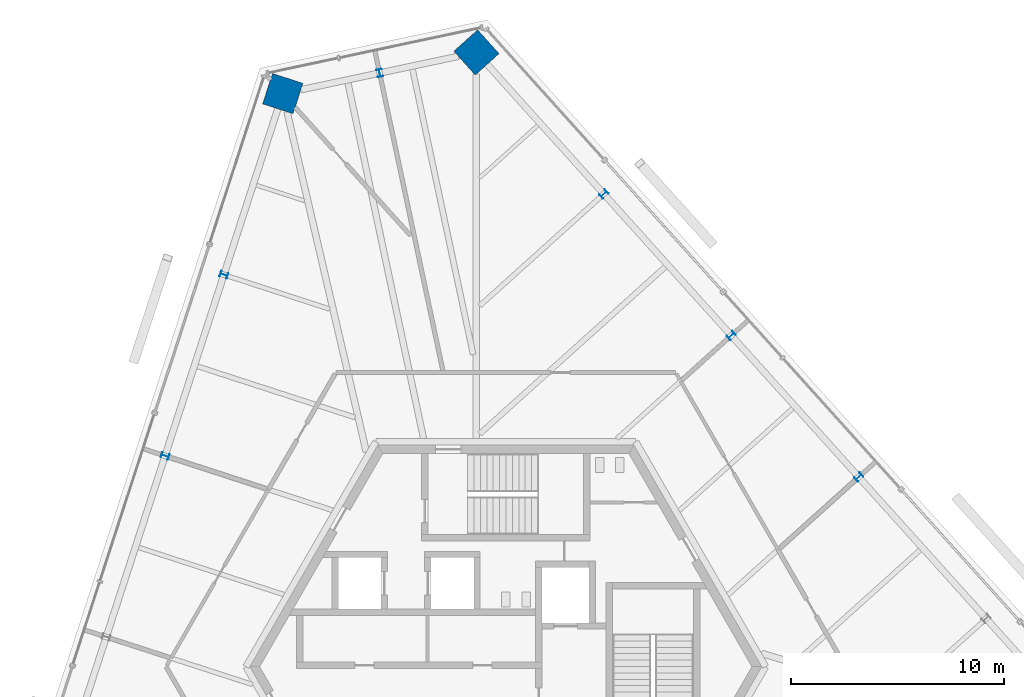
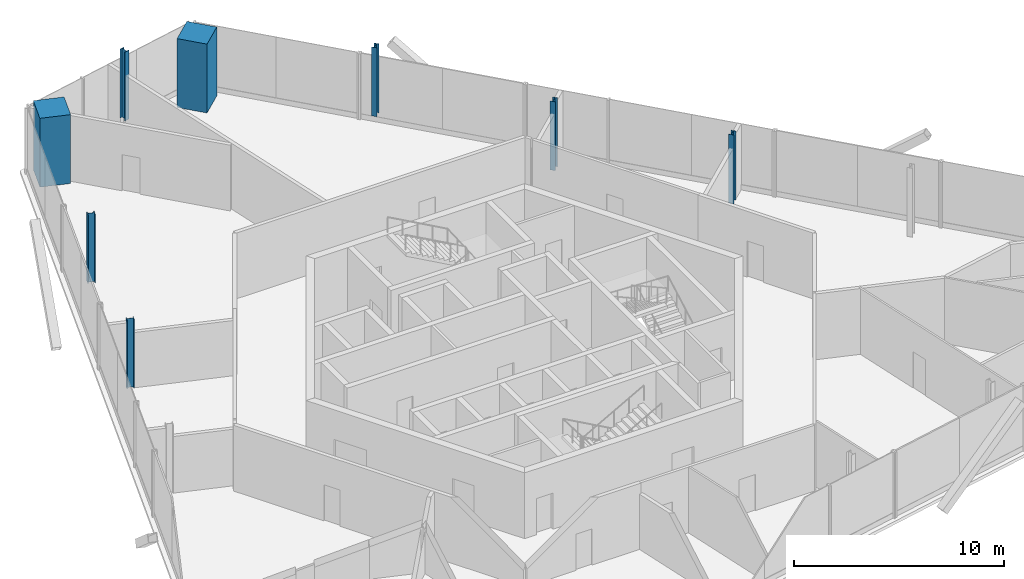
# One storey, part 3 of 14: 8 columns.
"""IFC4 building model written with IfcOpenShell, lengths in metres."""

import ifcopenshell
import ifcopenshell.guid

model = None  # the IFC model being written
_history = None  # IfcOwnerHistory: only IFC2X3 demands one
_inside = {}  # id of a spatial element -> (the spatial element, [elements in it])
_under = {}  # id of a project, library or spatial element -> (it, [spatial elements below it])
_declared = {}  # id of a project -> (the project, [libraries it declares])
_typed = {}  # id of a type object -> (the type object, [elements of that type])
_made_of = {}  # id of a material, layer set ... -> (it, [elements and type objects made of it])


def new_model(schema):
    """Start an empty IFC model of exactly this schema.

    Asked for "IFC4X3", IfcOpenShell would pick the latest addendum, in which some entities
    have other attributes; the version numbers below select the first issue.
    IFC2X3 requires an IfcOwnerHistory on every rooted entity: one is made here for all.
    """
    global model, _history
    if schema == "IFC4X3":
        model = ifcopenshell.file(schema_version=(4, 3, 0, 0))
    else:
        model = ifcopenshell.file(schema=schema)
    _inside.clear()
    _under.clear()
    _declared.clear()
    _typed.clear()
    _made_of.clear()
    _history = None
    if model.schema == "IFC2X3":
        org = make("IfcOrganization", Name="unknown")
        user = make(
            "IfcPersonAndOrganization",
            ThePerson=make("IfcPerson", FamilyName="unknown"),
            TheOrganization=org,
        )
        app = make(
            "IfcApplication",
            ApplicationDeveloper=org,
            Version="unknown",
            ApplicationFullName="unknown",
            ApplicationIdentifier="unknown",
        )
        _history = make(
            "IfcOwnerHistory",
            OwningUser=user,
            OwningApplication=app,
            ChangeAction="ADDED",
            CreationDate=0,
        )
    return model


def make(cls, **values):
    """One entity of the class cls with the attributes given. An attribute that is None is left unset."""
    return model.create_entity(
        cls, **{name: value for name, value in values.items() if value is not None}
    )


def rooted(cls, **values):
    """An entity with a GlobalId (a new one), such as an element, a storey or a relation."""
    return make(cls, GlobalId=ifcopenshell.guid.new(), OwnerHistory=_history, **values)


def si_unit(unit_type, name, prefix=None):
    """IfcSIUnit, for example si_unit("LENGTHUNIT", "METRE", prefix="MILLI")."""
    return make("IfcSIUnit", UnitType=unit_type, Prefix=prefix, Name=name)


def assignment(units):
    """IfcUnitAssignment: the units of a project."""
    return None if units is None else make("IfcUnitAssignment", Units=units)


def point(xyz):
    """IfcCartesianPoint."""
    return None if xyz is None else make("IfcCartesianPoint", Coordinates=xyz)


def direction(xyz):
    """IfcDirection."""
    return None if xyz is None else make("IfcDirection", DirectionRatios=xyz)


def frame(location, z_axis=None, x_axis=None):
    """IfcAxis2Placement3D, a coordinate frame: its origin and axes. An axis left out is left unset."""
    return make(
        "IfcAxis2Placement3D",
        Location=point(location),
        Axis=direction(z_axis),
        RefDirection=direction(x_axis),
    )


def frame_2d(location, x_axis=None):
    """IfcAxis2Placement2D, a coordinate frame in the plane: its origin and x axis."""
    return make(
        "IfcAxis2Placement2D", Location=point(location), RefDirection=direction(x_axis)
    )


def origin():
    """The frame at (0, 0, 0) with its axes left unset."""
    return frame((0.0, 0.0, 0.0))


def origin_2d():
    """The frame at (0, 0) in the plane with its x axis left unset."""
    return frame_2d((0.0, 0.0))


def place(relative_to, where):
    """IfcLocalPlacement: puts the frame where relative to a parent placement (None: the world)."""
    return make(
        "IfcLocalPlacement", PlacementRelTo=relative_to, RelativePlacement=where
    )


def context(
    kind, dimensions, precision=None, world=None, true_north=None, identifier=None
):
    """IfcGeometricRepresentationContext, for example the 3D "Model" context."""
    return make(
        "IfcGeometricRepresentationContext",
        ContextIdentifier=identifier,
        ContextType=kind,
        CoordinateSpaceDimension=dimensions,
        Precision=precision,
        WorldCoordinateSystem=world,
        TrueNorth=true_north,
    )


def subcontext(parent, identifier, kind, view, scale=None):
    """IfcGeometricRepresentationSubContext, for example "Body" below "Model"."""
    return make(
        "IfcGeometricRepresentationSubContext",
        ContextIdentifier=identifier,
        ContextType=kind,
        ParentContext=parent,
        TargetScale=scale,
        TargetView=view,
    )


def project(units=None, contexts=None):
    """IfcProject with its units and contexts."""
    return rooted(
        "IfcProject",
        Name="project",
        RepresentationContexts=contexts,
        UnitsInContext=assignment(units),
    )


def spatial(cls, under=None, at=None, **own):
    """A site, building, storey or space (cls), placed at a placement, below another one or the project."""
    s = rooted(cls, ObjectPlacement=at, **own)
    if under is not None:
        _under.setdefault(under.id(), (under, []))[1].append(s)
    return s


def profile(cls, at=None, kind="AREA", **sizes):
    """A parametric profile (cls). Its sizes go by their IFC names, for example OverallWidth=200.0."""
    return make(cls, ProfileType=kind, Position=at, **sizes)


def rectangle(**sizes):
    """IfcRectangleProfileDef."""
    return profile("IfcRectangleProfileDef", **sizes)


def i_section(**sizes):
    """IfcIShapeProfileDef."""
    return profile("IfcIShapeProfileDef", **sizes)


def extrude(swept, where, along, depth):
    """IfcExtrudedAreaSolid: the profile swept, set in the frame where, extruded along a direction by depth."""
    return make(
        "IfcExtrudedAreaSolid",
        SweptArea=swept,
        Position=where,
        ExtrudedDirection=direction(along),
        Depth=depth,
    )


def shape(context_of_items, identifier, shape_type, items):
    """IfcShapeRepresentation: the items that make up one representation, for example the "Body"."""
    return make(
        "IfcShapeRepresentation",
        ContextOfItems=context_of_items,
        RepresentationIdentifier=identifier,
        RepresentationType=shape_type,
        Items=items,
    )


def source(mapping_origin, context_of_items, identifier, shape_type, items):
    """IfcRepresentationMap: a shape defined once, which mapped items show again and again."""
    return make(
        "IfcRepresentationMap",
        MappingOrigin=mapping_origin,
        MappedRepresentation=shape(context_of_items, identifier, shape_type, items),
    )


def transform(
    local_origin,
    x_axis=None,
    y_axis=None,
    z_axis=None,
    scale=None,
    scale2=None,
    scale3=None,
    uniform=True,
):
    """IfcCartesianTransformationOperator3D, or its non-uniform kind. x_axis, y_axis, z_axis: its Axis1, 2, 3."""
    if uniform:
        return make(
            "IfcCartesianTransformationOperator3D",
            Axis1=direction(x_axis),
            Axis2=direction(y_axis),
            LocalOrigin=point(local_origin),
            Scale=scale,
            Axis3=direction(z_axis),
        )
    return make(
        "IfcCartesianTransformationOperator3DnonUniform",
        Axis1=direction(x_axis),
        Axis2=direction(y_axis),
        LocalOrigin=point(local_origin),
        Scale=scale,
        Axis3=direction(z_axis),
        Scale2=scale2,
        Scale3=scale3,
    )


def mapped(mapping_source, mapping_target):
    """IfcMappedItem: shows the shape of a source again, moved by a transform."""
    return make(
        "IfcMappedItem", MappingSource=mapping_source, MappingTarget=mapping_target
    )


def material(Name=None, Category=None):
    """IfcMaterial."""
    return make("IfcMaterial", Name=Name, Category=Category)


def material_profile(
    of_material, cross_section, Name=None, Category=None, Priority=None
):
    """IfcMaterialProfile: a cross section and its material."""
    return make(
        "IfcMaterialProfile",
        Name=Name,
        Material=of_material,
        Profile=cross_section,
        Priority=Priority,
        Category=Category,
    )


def profile_set(profiles, Name=None, composite=None):
    """IfcMaterialProfileSet."""
    return make(
        "IfcMaterialProfileSet",
        Name=Name,
        MaterialProfiles=profiles,
        CompositeProfile=composite,
    )


def made_of(thing, what):
    """Note that an element or type object is made of a material, layer set ...; save() writes the relation."""
    if what is not None:
        _made_of.setdefault(what.id(), (what, []))[1].append(thing)
    return thing


def type_object(cls, material=None, **own):
    """A type object (cls), such as IfcWallType, which elements share."""
    return made_of(rooted(cls, **own), material)


def element(
    cls,
    number,
    at=None,
    inside=None,
    cuts=None,
    type_object=None,
    material=None,
    context=None,
    identifier="Body",
    shape_type=None,
    held_by="IfcProductDefinitionShape",
    body=None,
    shapes=None,
    **own,
):
    """One element of the class cls, such as IfcWall. Its Tag is "e" and its number.

    at: its placement. inside: the storey or other place that contains it. cuts: it is an
    opening in that element (IfcRelVoidsElement). A single representation is given by context,
    identifier, shape_type and body (its items); several are given by shapes. held_by: the class
    of the entity that holds the representations. save() writes the other relations.
    """
    e = rooted(cls, Tag="e%d" % number, ObjectPlacement=at, **own)
    if body is not None:
        shapes = [shape(context, identifier, shape_type, body)]
    if shapes is not None:
        e.Representation = make(held_by, Representations=shapes)
    if inside is not None:
        _inside.setdefault(inside.id(), (inside, []))[1].append(e)
    if cuts is not None:
        rooted(
            "IfcRelVoidsElement", RelatingBuildingElement=cuts, RelatedOpeningElement=e
        )
    if type_object is not None:
        _typed.setdefault(type_object.id(), (type_object, []))[1].append(e)
    return made_of(e, material)


def aggregate(whole, parts):
    """IfcRelAggregates: a whole, such as a stair, and the parts it consists of."""
    return rooted("IfcRelAggregates", RelatingObject=whole, RelatedObjects=parts)


def save(model, path):
    """Write the relations noted so far, then the file.

    IfcRelAggregates (storeys below a building ...), IfcRelContainedInSpatialStructure (elements
    in a storey), IfcRelDefinesByType, IfcRelAssociatesMaterial and IfcRelDeclares: one each for
    every whole, place, type object, material and project.
    """
    for whole, parts in _under.values():
        aggregate(whole, parts)
    for where, things in _inside.values():
        rooted(
            "IfcRelContainedInSpatialStructure",
            RelatedElements=things,
            RelatingStructure=where,
        )
    for kind, things in _typed.values():
        rooted("IfcRelDefinesByType", RelatedObjects=things, RelatingType=kind)
    for what, things in _made_of.values():
        rooted("IfcRelAssociatesMaterial", RelatedObjects=things, RelatingMaterial=what)
    for by, libraries in _declared.values():
        rooted("IfcRelDeclares", RelatingContext=by, RelatedDefinitions=libraries)
    model.write(path)


model = new_model("IFC4")

# Units and contexts
model_context = context("Model", 3, precision=1e-05, world=origin(), true_north=direction((0.0, 1.0)))
body_context = subcontext(model_context, "Body", "Model", "MODEL_VIEW")
ifc_project = project(units=[si_unit("LENGTHUNIT", "METRE"), si_unit("AREAUNIT", "SQUARE_METRE"), si_unit("VOLUMEUNIT", "CUBIC_METRE"), si_unit("PLANEANGLEUNIT", "RADIAN"), si_unit("MASSUNIT", "GRAM", prefix="KILO")], contexts=[model_context])

# Site, building, storey
site_placement = place(None, origin())
site = spatial("IfcSite", under=ifc_project, at=site_placement, CompositionType="ELEMENT")
building_placement = place(site_placement, origin())
building = spatial("IfcBuilding", under=site, at=building_placement, Name="Triune Harvest Tower", CompositionType="ELEMENT")
storey_placement = place(building_placement, frame((0.0, 0.0, 284.699951171875)))
storey = spatial("IfcBuildingStorey", under=building, at=storey_placement, Name="L75", CompositionType="ELEMENT", Elevation=284.699951171875)

# Columns
ifc_material_1 = material(Name="Concrete 70 MPa", Category="concrete")
ifc_material_profile_1 = material_profile(ifc_material_1, rectangle(XDim=1.5, YDim=1.5, at=origin_2d()), Name="Composite 1500x1500")
ifc_profile_set_1 = profile_set([ifc_material_profile_1], Name="Concrete 70 MPa")
column_type_1 = type_object("IfcColumnType", Name="MC-7 Mega column Composite 1500x1500", PredefinedType="COLUMN", material=ifc_profile_set_1)
shared_shape_1 = source(origin(), body_context, "Body", "SweptSolid", [
    extrude(rectangle(XDim=1.5, YDim=1.5, at=origin_2d()), origin(), (0.0, 0.0, 1.0), 4.0),
])
for number, where, z_axis, x_axis, name in (
    (1, (-1.376708984375, 28.794921875, 0.0), (0.0, 0.0, 1.0), (-0.669130606359, 0.743144825477, 0.0), "col/L75/M5"),
    (2, (-10.4541015625, 26.865478515625, 0.0), (0.0, 0.0, 1.0), (-0.309015334468, -0.95105705563, 0.0), "col/L75/M7"),
):
    element("IfcColumn", number, at=place(storey_placement, frame(where, z_axis=z_axis, x_axis=x_axis)), inside=storey, type_object=column_type_1, Name=name, PredefinedType="COLUMN", context=body_context, shape_type="MappedRepresentation", body=[
        mapped(shared_shape_1, transform((0.0, 0.0, 0.0), scale=1.0)),
    ])
ifc_material_2 = material(Name="Steel ASTM A992 Gr 50", Category="steel")
ifc_material_profile_2 = material_profile(ifc_material_2, i_section(OverallWidth=0.256591796875, OverallDepth=0.360595703125, WebThickness=0.011474609375, FlangeThickness=0.02001953125, at=origin_2d()), Name="W14x74")
ifc_profile_set_2 = profile_set([ifc_material_profile_2], Name="Steel ASTM A992 Gr 50")
column_type_2 = type_object("IfcColumnType", Name="PC-7 Perimeter column W14x74", PredefinedType="COLUMN", material=ifc_profile_set_2)
shared_shape_2 = source(origin(), body_context, "Body", "SweptSolid", [
    extrude(i_section(OverallWidth=0.256591796875, OverallDepth=0.360595703125, WebThickness=0.011474609375, FlangeThickness=0.02001953125, at=origin_2d()), origin(), (0.0, 0.0, 1.0), 4.0),
])
for number, where, z_axis, x_axis, name in (
    (3, (16.545166015625, 8.890380859375, 0.0), (0.0, 0.0, 1.0), (-0.669130606359, 0.743144825477, 0.0), "col/L75/P2"),
    (4, (10.5712890625, 15.525146484375, 0.0), (0.0, 0.0, 1.0), (-0.669130606359, 0.743144825477, 0.0), "col/L75/P3"),
    (5, (4.59716796875, 22.159912109375, 1.199951171875), (0.0, 0.0, 1.0), (-0.669130606359, 0.743144825477, 0.0), "col/L75/P4"),
    (6, (-5.91552734375, 27.830078125, 1.199951171875), (0.0, 0.0, 1.0), (-0.978147600734, -0.207911690818, 0.0), "col/L75/P6"),
    (7, (-13.212890625, 18.37451171875, 0.0), (0.0, 0.0, 1.0), (-0.309015334468, -0.95105705563, 0.0), "col/L75/P8"),
    (8, (-15.971923828125, 9.88330078125, 0.0), (0.0, 0.0, 1.0), (-0.309015334468, -0.95105705563, 0.0), "col/L75/P9"),
):
    element("IfcColumn", number, at=place(storey_placement, frame(where, z_axis=z_axis, x_axis=x_axis)), inside=storey, type_object=column_type_2, Name=name, PredefinedType="COLUMN", context=body_context, shape_type="MappedRepresentation", body=[
        mapped(shared_shape_2, transform((0.0, 0.0, 0.0), scale=1.0)),
    ])

save(model, "model.ifc")
